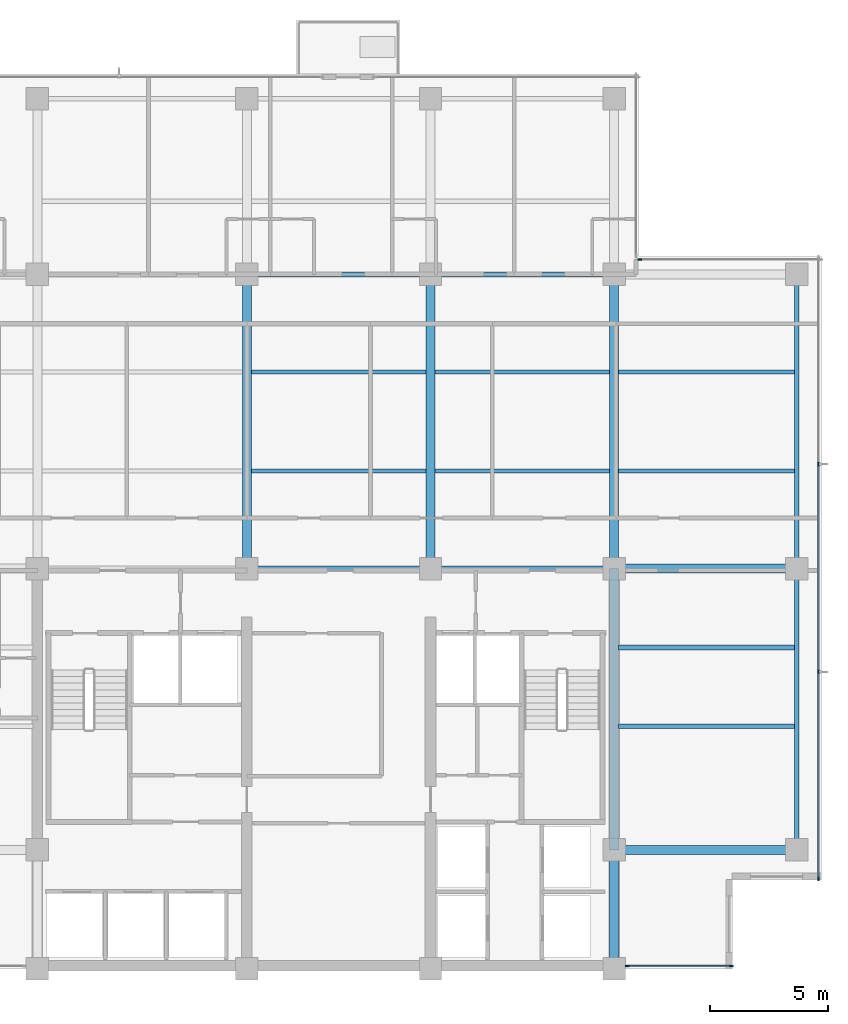
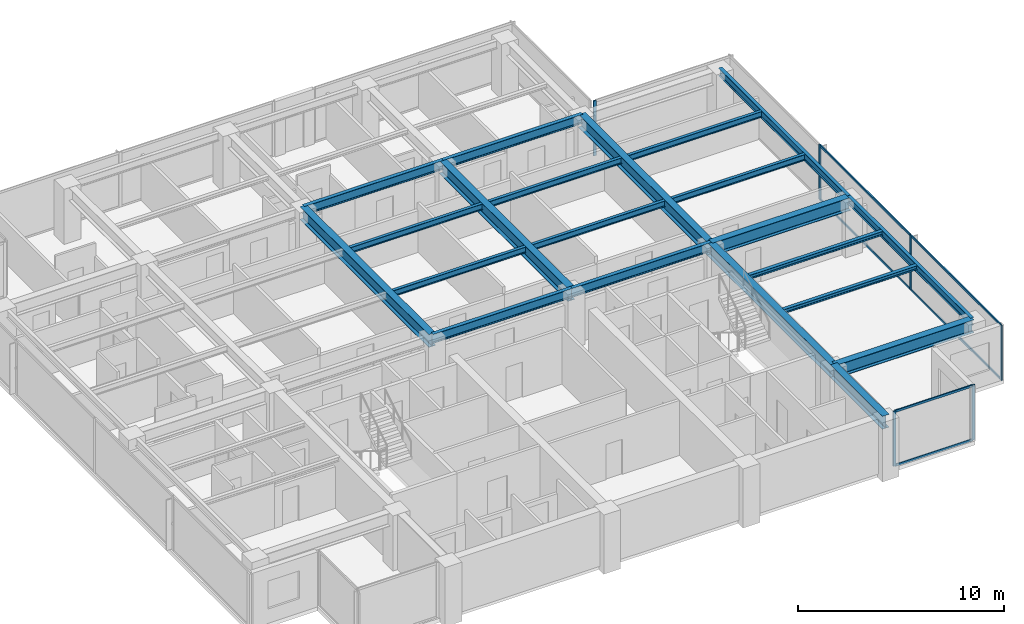
# One storey, part 3 of 15: 21 beams, 12 members, 3 elements without a shape of their own.
"""IFC4 building model written with IfcOpenShell, lengths in metres."""

import ifcopenshell
import ifcopenshell.guid

model = None  # the IFC model being written
_history = None  # IfcOwnerHistory: only IFC2X3 demands one
_inside = {}  # id of a spatial element -> (the spatial element, [elements in it])
_under = {}  # id of a project, library or spatial element -> (it, [spatial elements below it])
_declared = {}  # id of a project -> (the project, [libraries it declares])
_typed = {}  # id of a type object -> (the type object, [elements of that type])
_made_of = {}  # id of a material, layer set ... -> (it, [elements and type objects made of it])


def new_model(schema):
    """Start an empty IFC model of exactly this schema.

    Asked for "IFC4X3", IfcOpenShell would pick the latest addendum, in which some entities
    have other attributes; the version numbers below select the first issue.
    IFC2X3 requires an IfcOwnerHistory on every rooted entity: one is made here for all.
    """
    global model, _history
    if schema == "IFC4X3":
        model = ifcopenshell.file(schema_version=(4, 3, 0, 0))
    else:
        model = ifcopenshell.file(schema=schema)
    _inside.clear()
    _under.clear()
    _declared.clear()
    _typed.clear()
    _made_of.clear()
    _history = None
    if model.schema == "IFC2X3":
        org = make("IfcOrganization", Name="unknown")
        user = make(
            "IfcPersonAndOrganization",
            ThePerson=make("IfcPerson", FamilyName="unknown"),
            TheOrganization=org,
        )
        app = make(
            "IfcApplication",
            ApplicationDeveloper=org,
            Version="unknown",
            ApplicationFullName="unknown",
            ApplicationIdentifier="unknown",
        )
        _history = make(
            "IfcOwnerHistory",
            OwningUser=user,
            OwningApplication=app,
            ChangeAction="ADDED",
            CreationDate=0,
        )
    return model


def make(cls, **values):
    """One entity of the class cls with the attributes given. An attribute that is None is left unset."""
    return model.create_entity(
        cls, **{name: value for name, value in values.items() if value is not None}
    )


def rooted(cls, **values):
    """An entity with a GlobalId (a new one), such as an element, a storey or a relation."""
    return make(cls, GlobalId=ifcopenshell.guid.new(), OwnerHistory=_history, **values)


def si_unit(unit_type, name, prefix=None):
    """IfcSIUnit, for example si_unit("LENGTHUNIT", "METRE", prefix="MILLI")."""
    return make("IfcSIUnit", UnitType=unit_type, Prefix=prefix, Name=name)


def assignment(units):
    """IfcUnitAssignment: the units of a project."""
    return None if units is None else make("IfcUnitAssignment", Units=units)


def point(xyz):
    """IfcCartesianPoint."""
    return None if xyz is None else make("IfcCartesianPoint", Coordinates=xyz)


def direction(xyz):
    """IfcDirection."""
    return None if xyz is None else make("IfcDirection", DirectionRatios=xyz)


def frame(location, z_axis=None, x_axis=None):
    """IfcAxis2Placement3D, a coordinate frame: its origin and axes. An axis left out is left unset."""
    return make(
        "IfcAxis2Placement3D",
        Location=point(location),
        Axis=direction(z_axis),
        RefDirection=direction(x_axis),
    )


def frame_2d(location, x_axis=None):
    """IfcAxis2Placement2D, a coordinate frame in the plane: its origin and x axis."""
    return make(
        "IfcAxis2Placement2D", Location=point(location), RefDirection=direction(x_axis)
    )


def origin():
    """The frame at (0, 0, 0) with its axes left unset."""
    return frame((0.0, 0.0, 0.0))


def origin_2d():
    """The frame at (0, 0) in the plane with its x axis left unset."""
    return frame_2d((0.0, 0.0))


def place(relative_to, where):
    """IfcLocalPlacement: puts the frame where relative to a parent placement (None: the world)."""
    return make(
        "IfcLocalPlacement", PlacementRelTo=relative_to, RelativePlacement=where
    )


def context(
    kind, dimensions, precision=None, world=None, true_north=None, identifier=None
):
    """IfcGeometricRepresentationContext, for example the 3D "Model" context."""
    return make(
        "IfcGeometricRepresentationContext",
        ContextIdentifier=identifier,
        ContextType=kind,
        CoordinateSpaceDimension=dimensions,
        Precision=precision,
        WorldCoordinateSystem=world,
        TrueNorth=true_north,
    )


def subcontext(parent, identifier, kind, view, scale=None):
    """IfcGeometricRepresentationSubContext, for example "Body" below "Model"."""
    return make(
        "IfcGeometricRepresentationSubContext",
        ContextIdentifier=identifier,
        ContextType=kind,
        ParentContext=parent,
        TargetScale=scale,
        TargetView=view,
    )


def project(units=None, contexts=None):
    """IfcProject with its units and contexts."""
    return rooted(
        "IfcProject",
        Name="project",
        RepresentationContexts=contexts,
        UnitsInContext=assignment(units),
    )


def spatial(cls, under=None, at=None, **own):
    """A site, building, storey or space (cls), placed at a placement, below another one or the project."""
    s = rooted(cls, ObjectPlacement=at, **own)
    if under is not None:
        _under.setdefault(under.id(), (under, []))[1].append(s)
    return s


def profile(cls, at=None, kind="AREA", **sizes):
    """A parametric profile (cls). Its sizes go by their IFC names, for example OverallWidth=200.0."""
    return make(cls, ProfileType=kind, Position=at, **sizes)


def rectangle(**sizes):
    """IfcRectangleProfileDef."""
    return profile("IfcRectangleProfileDef", **sizes)


def i_section(**sizes):
    """IfcIShapeProfileDef."""
    return profile("IfcIShapeProfileDef", **sizes)


def extrude(swept, where, along, depth):
    """IfcExtrudedAreaSolid: the profile swept, set in the frame where, extruded along a direction by depth."""
    return make(
        "IfcExtrudedAreaSolid",
        SweptArea=swept,
        Position=where,
        ExtrudedDirection=direction(along),
        Depth=depth,
    )


def shape(context_of_items, identifier, shape_type, items):
    """IfcShapeRepresentation: the items that make up one representation, for example the "Body"."""
    return make(
        "IfcShapeRepresentation",
        ContextOfItems=context_of_items,
        RepresentationIdentifier=identifier,
        RepresentationType=shape_type,
        Items=items,
    )


def material(Name=None, Category=None):
    """IfcMaterial."""
    return make("IfcMaterial", Name=Name, Category=Category)


def layer(
    of_material, thickness, ventilated=None, Name=None, Category=None, Priority=None
):
    """IfcMaterialLayer: one layer of a wall or slab, of a material (None: an air gap)."""
    return make(
        "IfcMaterialLayer",
        Material=of_material,
        LayerThickness=thickness,
        IsVentilated=ventilated,
        Name=Name,
        Category=Category,
        Priority=Priority,
    )


def layer_set(layers, Name=None):
    """IfcMaterialLayerSet."""
    return make("IfcMaterialLayerSet", MaterialLayers=layers, LayerSetName=Name)


def material_profile(
    of_material, cross_section, Name=None, Category=None, Priority=None
):
    """IfcMaterialProfile: a cross section and its material."""
    return make(
        "IfcMaterialProfile",
        Name=Name,
        Material=of_material,
        Profile=cross_section,
        Priority=Priority,
        Category=Category,
    )


def profile_set(profiles, Name=None, composite=None):
    """IfcMaterialProfileSet."""
    return make(
        "IfcMaterialProfileSet",
        Name=Name,
        MaterialProfiles=profiles,
        CompositeProfile=composite,
    )


def made_of(thing, what):
    """Note that an element or type object is made of a material, layer set ...; save() writes the relation."""
    if what is not None:
        _made_of.setdefault(what.id(), (what, []))[1].append(thing)
    return thing


def type_object(cls, material=None, **own):
    """A type object (cls), such as IfcWallType, which elements share."""
    return made_of(rooted(cls, **own), material)


def element(
    cls,
    number,
    at=None,
    inside=None,
    cuts=None,
    type_object=None,
    material=None,
    context=None,
    identifier="Body",
    shape_type=None,
    held_by="IfcProductDefinitionShape",
    body=None,
    shapes=None,
    **own,
):
    """One element of the class cls, such as IfcWall. Its Tag is "e" and its number.

    at: its placement. inside: the storey or other place that contains it. cuts: it is an
    opening in that element (IfcRelVoidsElement). A single representation is given by context,
    identifier, shape_type and body (its items); several are given by shapes. held_by: the class
    of the entity that holds the representations. save() writes the other relations.
    """
    e = rooted(cls, Tag="e%d" % number, ObjectPlacement=at, **own)
    if body is not None:
        shapes = [shape(context, identifier, shape_type, body)]
    if shapes is not None:
        e.Representation = make(held_by, Representations=shapes)
    if inside is not None:
        _inside.setdefault(inside.id(), (inside, []))[1].append(e)
    if cuts is not None:
        rooted(
            "IfcRelVoidsElement", RelatingBuildingElement=cuts, RelatedOpeningElement=e
        )
    if type_object is not None:
        _typed.setdefault(type_object.id(), (type_object, []))[1].append(e)
    return made_of(e, material)


def aggregate(whole, parts):
    """IfcRelAggregates: a whole, such as a stair, and the parts it consists of."""
    return rooted("IfcRelAggregates", RelatingObject=whole, RelatedObjects=parts)


def save(model, path):
    """Write the relations noted so far, then the file.

    IfcRelAggregates (storeys below a building ...), IfcRelContainedInSpatialStructure (elements
    in a storey), IfcRelDefinesByType, IfcRelAssociatesMaterial and IfcRelDeclares: one each for
    every whole, place, type object, material and project.
    """
    for whole, parts in _under.values():
        aggregate(whole, parts)
    for where, things in _inside.values():
        rooted(
            "IfcRelContainedInSpatialStructure",
            RelatedElements=things,
            RelatingStructure=where,
        )
    for kind, things in _typed.values():
        rooted("IfcRelDefinesByType", RelatedObjects=things, RelatingType=kind)
    for what, things in _made_of.values():
        rooted("IfcRelAssociatesMaterial", RelatedObjects=things, RelatingMaterial=what)
    for by, libraries in _declared.values():
        rooted("IfcRelDeclares", RelatingContext=by, RelatedDefinitions=libraries)
    model.write(path)


model = new_model("IFC4")

# Units and contexts
model_context = context("Model", 3, precision=1e-05, world=origin(), true_north=direction((0.0, 1.0)))
body_context = subcontext(model_context, "Body", "Model", "MODEL_VIEW")
ifc_project = project(units=[si_unit("LENGTHUNIT", "METRE"), si_unit("AREAUNIT", "SQUARE_METRE"), si_unit("VOLUMEUNIT", "CUBIC_METRE"), si_unit("PLANEANGLEUNIT", "RADIAN"), si_unit("MASSUNIT", "GRAM", prefix="KILO")], contexts=[model_context])

# Site, building, storey
site_placement = place(None, origin())
site = spatial("IfcSite", under=ifc_project, at=site_placement, CompositionType="ELEMENT")
building_placement = place(site_placement, origin())
building = spatial("IfcBuilding", under=site, at=building_placement, Name="Qalmaran Belvedere Hotel", CompositionType="ELEMENT")
storey_placement = place(building_placement, frame((0.0, 0.0, 203.89990234375)))
storey = spatial("IfcBuildingStorey", under=building, at=storey_placement, Name="L51", CompositionType="ELEMENT", Elevation=203.89990234375)

# Beams
ifc_material_1 = material(Name="Steel S355JR", Category="steel")
ifc_material_profile_1 = material_profile(ifc_material_1, i_section(OverallWidth=0.201904296875, OverallDepth=0.2470703125, WebThickness=0.00732421875, FlangeThickness=0.010986328125, FilletRadius=0.011962890625, at=origin_2d()), Name="W250X49")
ifc_profile_set_1 = profile_set([ifc_material_profile_1], Name="Steel S355JR")
beam_type_1 = type_object("IfcBeamType", Name="BM-JST-W250X49", PredefinedType="JOIST", material=ifc_profile_set_1)
for number, where, z_axis, x_axis, name in (
    (1, (44.988525390625, 13.800048828125, 3.13671875), (1.0, 0.0, 0.0), (0.0, 1.0, 0.0), "L51 East Wing Joist 039"),
    (2, (44.988525390625, 17.14990234375, 3.13671875), (1.0, 0.0, 0.0), (0.0, 1.0, 0.0), "L51 East Wing Joist 041"),
):
    element("IfcBeam", number, at=place(storey_placement, frame(where, z_axis=z_axis, x_axis=x_axis)), inside=storey, type_object=beam_type_1, Name=name, PredefinedType="JOIST", context=body_context, shape_type="SweptSolid", body=[
        extrude(i_section(OverallWidth=0.201904296875, OverallDepth=0.2470703125, WebThickness=0.00732421875, FlangeThickness=0.010986328125, FilletRadius=0.011962890625, at=origin_2d()), origin(), (0.0, 0.0, 1.0), 7.467529296875),
    ])
ifc_material_profile_2 = material_profile(ifc_material_1, i_section(OverallWidth=0.381103515625, OverallDepth=0.77294921875, WebThickness=0.0166015625, FlangeThickness=0.027099609375, FilletRadius=0.02197265625, at=origin_2d()), Name="W760X257")
ifc_profile_set_2 = profile_set([ifc_material_profile_2], Name="Steel S355JR")
beam_type_2 = type_object("IfcBeamType", Name="BM-PG4-W760X257", PredefinedType="USERDEFINED", material=ifc_profile_set_2)
for number, where, z_axis, x_axis, name in (
    (3, (29.199951171875, 20.5, 2.87353515625), (0.0, 1.0, 0.0), (-1.0, 0.0, 0.0), "L51 Mid-Plate N-S Girder 16"),
    (4, (37.0, 20.5, 2.87353515625), (0.0, 1.0, 0.0), (-1.0, 0.0, 0.0), "L51 Mid-Plate N-S Girder 18"),
    (5, (44.800048828125, 20.5, 2.87353515625), (0.0, 1.0, 0.0), (-1.0, 0.0, 0.0), "L51 Mid-Plate N-S Girder 20"),
):
    element("IfcBeam", number, at=place(storey_placement, frame(where, z_axis=z_axis, x_axis=x_axis)), inside=storey, type_object=beam_type_2, Name=name, ObjectType="GIRDER", PredefinedType="USERDEFINED", context=body_context, shape_type="SweptSolid", body=[
        extrude(i_section(OverallWidth=0.381103515625, OverallDepth=0.77294921875, WebThickness=0.0166015625, FlangeThickness=0.027099609375, FilletRadius=0.02197265625, at=origin_2d()), origin(), (0.0, 0.0, 1.0), 12.5),
    ])
beam_1_placement = place(storey_placement, frame((44.800048828125, 3.5, 2.87353515625), z_axis=(0.0, 1.0, 0.0), x_axis=(-1.0, 0.0, 0.0)))
element("IfcBeam", 6, at=beam_1_placement, inside=storey, type_object=beam_type_2, Name="L51 East Core Edge Girder A", ObjectType="GIRDER", PredefinedType="USERDEFINED", context=body_context, shape_type="SweptSolid", body=[
    extrude(i_section(OverallWidth=0.381103515625, OverallDepth=0.77294921875, WebThickness=0.0166015625, FlangeThickness=0.027099609375, FilletRadius=0.02197265625, at=origin_2d()), origin(), (0.0, 0.0, 1.0), 5.050048828125),
])
beam_2_placement = place(storey_placement, frame((44.800048828125, 8.550048828125, 2.87353515625), z_axis=(0.0, 1.0, 0.0), x_axis=(-1.0, 0.0, 0.0)))
element("IfcBeam", 7, at=beam_2_placement, inside=storey, type_object=beam_type_2, Name="L51 East Core Edge Girder B", ObjectType="GIRDER", PredefinedType="USERDEFINED", context=body_context, shape_type="SweptSolid", body=[
    extrude(i_section(OverallWidth=0.381103515625, OverallDepth=0.77294921875, WebThickness=0.0166015625, FlangeThickness=0.027099609375, FilletRadius=0.02197265625, at=origin_2d()), origin(), (0.0, 0.0, 1.0), 11.949951171875),
])
for number, where, z_axis, x_axis, name in (
    (8, (44.800048828125, 8.550048828125, 2.87353515625), (1.0, 0.0, 0.0), (0.0, 1.0, 0.0), "L51 East Wing Girder 25"),
    (9, (44.800048828125, 20.5, 2.87353515625), (1.0, 0.0, 0.0), (0.0, 1.0, 0.0), "L51 East Wing Girder 26"),
):
    element("IfcBeam", number, at=place(storey_placement, frame(where, z_axis=z_axis, x_axis=x_axis)), inside=storey, type_object=beam_type_2, Name=name, ObjectType="GIRDER", PredefinedType="USERDEFINED", context=body_context, shape_type="SweptSolid", body=[
        extrude(i_section(OverallWidth=0.381103515625, OverallDepth=0.77294921875, WebThickness=0.0166015625, FlangeThickness=0.027099609375, FilletRadius=0.02197265625, at=origin_2d()), origin(), (0.0, 0.0, 1.0), 7.75),
    ])
ifc_material_profile_3 = material_profile(ifc_material_1, i_section(OverallWidth=0.172119140625, OverallDepth=0.35791015625, WebThickness=0.0078125, FlangeThickness=0.01318359375, FilletRadius=0.014892578125, at=origin_2d()), Name="W360X57")
ifc_profile_set_3 = profile_set([ifc_material_profile_3], Name="Steel S355JR")
beam_type_3 = type_object("IfcBeamType", Name="BM-SB4-W360X57", PredefinedType="BEAM", material=ifc_profile_set_3)
for number, where, z_axis, x_axis, name in (
    (10, (29.388427734375, 24.64990234375, 3.0810546875), (1.0, 0.0, 0.0), (0.0, 1.0, 0.0), "L51 Secondary Floor Beam 030"),
    (11, (37.1884765625, 24.64990234375, 3.0810546875), (1.0, 0.0, 0.0), (0.0, 1.0, 0.0), "L51 Secondary Floor Beam 031"),
):
    element("IfcBeam", number, at=place(storey_placement, frame(where, z_axis=z_axis, x_axis=x_axis)), inside=storey, type_object=beam_type_3, Name=name, PredefinedType="BEAM", context=body_context, shape_type="SweptSolid", body=[
        extrude(i_section(OverallWidth=0.172119140625, OverallDepth=0.35791015625, WebThickness=0.0078125, FlangeThickness=0.01318359375, FilletRadius=0.014892578125, at=origin_2d()), origin(), (0.0, 0.0, 1.0), 7.423095703125),
    ])
beam_3_placement = place(storey_placement, frame((44.988525390625, 24.64990234375, 3.0810546875), z_axis=(1.0, 0.0, 0.0), x_axis=(0.0, 1.0, 0.0)))
element("IfcBeam", 12, at=beam_3_placement, inside=storey, type_object=beam_type_3, Name="L51 East Secondary Beam 032", PredefinedType="BEAM", context=body_context, shape_type="SweptSolid", body=[
    extrude(i_section(OverallWidth=0.172119140625, OverallDepth=0.35791015625, WebThickness=0.0078125, FlangeThickness=0.01318359375, FilletRadius=0.014892578125, at=origin_2d()), origin(), (0.0, 0.0, 1.0), 7.467529296875),
])
for number, where, z_axis, x_axis, name in (
    (13, (29.388427734375, 28.85009765625, 3.0810546875), (1.0, 0.0, 0.0), (0.0, 1.0, 0.0), "L51 Secondary Floor Beam 035"),
    (14, (37.1884765625, 28.85009765625, 3.0810546875), (1.0, 0.0, 0.0), (0.0, 1.0, 0.0), "L51 Secondary Floor Beam 036"),
):
    element("IfcBeam", number, at=place(storey_placement, frame(where, z_axis=z_axis, x_axis=x_axis)), inside=storey, type_object=beam_type_3, Name=name, PredefinedType="BEAM", context=body_context, shape_type="SweptSolid", body=[
        extrude(i_section(OverallWidth=0.172119140625, OverallDepth=0.35791015625, WebThickness=0.0078125, FlangeThickness=0.01318359375, FilletRadius=0.014892578125, at=origin_2d()), origin(), (0.0, 0.0, 1.0), 7.423095703125),
    ])
beam_4_placement = place(storey_placement, frame((44.988525390625, 28.85009765625, 3.0810546875), z_axis=(1.0, 0.0, 0.0), x_axis=(0.0, 1.0, 0.0)))
element("IfcBeam", 15, at=beam_4_placement, inside=storey, type_object=beam_type_3, Name="L51 East Secondary Beam 037", PredefinedType="BEAM", context=body_context, shape_type="SweptSolid", body=[
    extrude(i_section(OverallWidth=0.172119140625, OverallDepth=0.35791015625, WebThickness=0.0078125, FlangeThickness=0.01318359375, FilletRadius=0.014892578125, at=origin_2d()), origin(), (0.0, 0.0, 1.0), 7.467529296875),
])
ifc_material_profile_4 = material_profile(ifc_material_1, i_section(OverallWidth=0.19189453125, OverallDepth=0.462890625, WebThickness=0.010498046875, FlangeThickness=0.017578125, FilletRadius=0.01611328125, at=origin_2d()), Name="W460X89")
ifc_profile_set_4 = profile_set([ifc_material_profile_4], Name="Steel S355JR")
beam_type_4 = type_object("IfcBeamType", Name="BM-SP2-W460X89", PredefinedType="SPANDREL", material=ifc_profile_set_4)
beam_5_placement = place(storey_placement, frame((52.550048828125, 8.550048828125, 3.028564453125), z_axis=(0.0, 1.0, 0.0), x_axis=(-1.0, 0.0, 0.0)))
element("IfcBeam", 16, at=beam_5_placement, inside=storey, type_object=beam_type_4, Name="L51 Perimeter Spandrel 03", PredefinedType="SPANDREL", context=body_context, shape_type="SweptSolid", body=[
    extrude(i_section(OverallWidth=0.19189453125, OverallDepth=0.462890625, WebThickness=0.010498046875, FlangeThickness=0.017578125, FilletRadius=0.01611328125, at=origin_2d()), origin(), (0.0, 0.0, 1.0), 11.949951171875),
])
beam_6_placement = place(storey_placement, frame((52.550048828125, 20.5, 3.028564453125), z_axis=(0.0, 1.0, 0.0), x_axis=(-1.0, 0.0, 0.0)))
element("IfcBeam", 17, at=beam_6_placement, inside=storey, type_object=beam_type_4, Name="L51 Perimeter Spandrel 04", PredefinedType="SPANDREL", context=body_context, shape_type="SweptSolid", body=[
    extrude(i_section(OverallWidth=0.19189453125, OverallDepth=0.462890625, WebThickness=0.010498046875, FlangeThickness=0.017578125, FilletRadius=0.01611328125, at=origin_2d()), origin(), (0.0, 0.0, 1.0), 12.5),
])
ifc_material_profile_5 = material_profile(ifc_material_1, i_section(OverallWidth=0.2109375, OverallDepth=0.5390625, WebThickness=0.01171875, FlangeThickness=0.018798828125, FilletRadius=0.01806640625, at=origin_2d()), Name="W530X109")
ifc_profile_set_5 = profile_set([ifc_material_profile_5], Name="Steel S355JR")
beam_type_5 = type_object("IfcBeamType", Name="BM-Z4-W530X109", PredefinedType="USERDEFINED", material=ifc_profile_set_5)
for number, where, z_axis, x_axis, name in (
    (18, (29.199951171875, 20.5, 2.990478515625), (1.0, 0.0, 0.0), (0.0, 1.0, 0.0), "L51 Interior E-W Girder 09"),
    (19, (37.0, 20.5, 2.990478515625), (1.0, 0.0, 0.0), (0.0, 1.0, 0.0), "L51 Interior E-W Girder 10"),
    (20, (29.199951171875, 33.0, 2.990478515625), (1.0, 0.0, 0.0), (0.0, 1.0, 0.0), "L51 Interior E-W Girder 12"),
    (21, (37.0, 33.0, 2.990478515625), (1.0, 0.0, 0.0), (0.0, 1.0, 0.0), "L51 Interior E-W Girder 13"),
):
    element("IfcBeam", number, at=place(storey_placement, frame(where, z_axis=z_axis, x_axis=x_axis)), inside=storey, type_object=beam_type_5, Name=name, ObjectType="GIRDER", PredefinedType="USERDEFINED", context=body_context, shape_type="SweptSolid", body=[
        extrude(i_section(OverallWidth=0.2109375, OverallDepth=0.5390625, WebThickness=0.01171875, FlangeThickness=0.018798828125, FilletRadius=0.01806640625, at=origin_2d()), origin(), (0.0, 0.0, 1.0), 7.800048828125),
    ])

# Curtain wall, members
ifc_material_2 = material(Name="Anodised Bronze Aluminium", Category="aluminium")
ifc_layer = layer(ifc_material_2, 0.18994140625, Name="Anodised Bronze Aluminium")
ifc_layer_set = layer_set([ifc_layer], Name="Anodised Bronze Aluminium")
curtain_wall_type = type_object("IfcCurtainWallType", Name="CW5-TOWER-UPPER", PredefinedType="NOTDEFINED", material=ifc_layer_set)
curtain_wall_1_placement = place(storey_placement, origin())
curtain_wall_1 = element("IfcCurtainWall", 22, at=curtain_wall_1_placement, inside=storey, type_object=curtain_wall_type, Name="L51 Curtain Wall CW5", PredefinedType="NOTDEFINED")
ifc_material_profile_6 = material_profile(ifc_material_2, rectangle(XDim=0.06494140625, YDim=0.1650390625, at=origin_2d()), Name="CWM65X165")
ifc_profile_set_6 = profile_set([ifc_material_profile_6], Name="Anodised Bronze Aluminium")
member_type_1 = type_object("IfcMemberType", Name="CWM-65X165", PredefinedType="MULLION", material=ifc_profile_set_6)
member_1_placement = place(storey_placement, frame((45.347412109375, 3.6201171875, 0.0), z_axis=(0.0, 0.0, 1.0), x_axis=(0.0, 1.0, 0.0)))
member_1 = element("IfcMember", 23, at=member_1_placement, type_object=member_type_1, Name="CW5 mullion 1", PredefinedType="MULLION", context=body_context, shape_type="SweptSolid", body=[
    extrude(rectangle(XDim=0.06494140625, YDim=0.1650390625, at=origin_2d()), origin(), (0.0, 0.0, 1.0), 3.260009765625),
])
member_2_placement = place(storey_placement, frame((49.767578125, 3.6201171875, 0.0), z_axis=(0.0, 0.0, 1.0), x_axis=(0.0, 1.0, 0.0)))
member_2 = element("IfcMember", 24, at=member_2_placement, type_object=member_type_1, Name="CW5 mullion 2", PredefinedType="MULLION", context=body_context, shape_type="SweptSolid", body=[
    extrude(rectangle(XDim=0.06494140625, YDim=0.1650390625, at=origin_2d()), origin(), (0.0, 0.0, 1.0), 3.260009765625),
])

curtain_wall_2_placement = place(storey_placement, origin())
curtain_wall_2 = element("IfcCurtainWall", 25, at=curtain_wall_2_placement, inside=storey, type_object=curtain_wall_type, Name="L51 Curtain Wall CW5", PredefinedType="NOTDEFINED")
member_3_placement = place(storey_placement, frame((53.47998046875, 7.33251953125, 0.0), z_axis=(0.0, 0.0, 1.0), x_axis=(-1.0, 0.0, 0.0)))
member_3 = element("IfcMember", 26, at=member_3_placement, type_object=member_type_1, Name="CW5 mullion 1", PredefinedType="MULLION", context=body_context, shape_type="SweptSolid", body=[
    extrude(rectangle(XDim=0.06494140625, YDim=0.1650390625, at=origin_2d()), origin(), (0.0, 0.0, 1.0), 3.260009765625),
])
member_4_placement = place(storey_placement, frame((53.47998046875, 16.11669921875, 0.0), z_axis=(0.0, 0.0, 1.0), x_axis=(-1.0, 0.0, 0.0)))
member_4 = element("IfcMember", 27, at=member_4_placement, type_object=member_type_1, Name="CW5 mullion 2", PredefinedType="MULLION", context=body_context, shape_type="SweptSolid", body=[
    extrude(rectangle(XDim=0.06494140625, YDim=0.1650390625, at=origin_2d()), origin(), (0.0, 0.0, 1.0), 3.260009765625),
])
member_5_placement = place(storey_placement, frame((53.47998046875, 24.933349609375, 0.0), z_axis=(0.0, 0.0, 1.0), x_axis=(-1.0, 0.0, 0.0)))
member_5 = element("IfcMember", 28, at=member_5_placement, type_object=member_type_1, Name="CW5 mullion 3", PredefinedType="MULLION", context=body_context, shape_type="SweptSolid", body=[
    extrude(rectangle(XDim=0.06494140625, YDim=0.1650390625, at=origin_2d()), origin(), (0.0, 0.0, 1.0), 3.260009765625),
])

# Curtain wall, member
curtain_wall_3_placement = place(storey_placement, origin())
curtain_wall_3 = element("IfcCurtainWall", 29, at=curtain_wall_3_placement, inside=storey, type_object=curtain_wall_type, Name="L51 Curtain Wall CW5", PredefinedType="NOTDEFINED")
member_6_placement = place(storey_placement, frame((45.882568359375, 33.6298828125, 0.0), z_axis=(0.0, 0.0, 1.0), x_axis=(0.0, -1.0, 0.0)))
member_6 = element("IfcMember", 30, at=member_6_placement, type_object=member_type_1, Name="CW5 mullion 2", PredefinedType="MULLION", context=body_context, shape_type="SweptSolid", body=[
    extrude(rectangle(XDim=0.06494140625, YDim=0.1650390625, at=origin_2d()), origin(), (0.0, 0.0, 1.0), 3.260009765625),
])
aggregate(curtain_wall_3, [member_6])

# Member
ifc_material_profile_7 = material_profile(ifc_material_2, rectangle(XDim=0.06494140625, YDim=0.1298828125, at=origin_2d()), Name="CWT65X130")
ifc_profile_set_7 = profile_set([ifc_material_profile_7], Name="Anodised Bronze Aluminium")
member_type_2 = type_object("IfcMemberType", Name="CWT-65X130", PredefinedType="USERDEFINED", material=ifc_profile_set_7)
member_7_placement = place(storey_placement, frame((45.3798828125, 3.6201171875, 0.03271484375), z_axis=(1.0, 0.0, 0.0), x_axis=(0.0, 1.0, 0.0)))
member_7 = element("IfcMember", 31, at=member_7_placement, type_object=member_type_2, Name="CW5 transom 1.1", ObjectType="TRANSOM", PredefinedType="USERDEFINED", context=body_context, shape_type="SweptSolid", body=[
    extrude(rectangle(XDim=0.06494140625, YDim=0.1298828125, at=origin_2d()), origin(), (0.0, 0.0, 1.0), 4.355224609375),
])

member_8_placement = place(storey_placement, frame((45.3798828125, 3.6201171875, 3.2275390625), z_axis=(1.0, 0.0, 0.0), x_axis=(0.0, 1.0, 0.0)))
member_8 = element("IfcMember", 32, at=member_8_placement, type_object=member_type_2, Name="CW5 transom 1.2", ObjectType="TRANSOM", PredefinedType="USERDEFINED", context=body_context, shape_type="SweptSolid", body=[
    extrude(rectangle(XDim=0.06494140625, YDim=0.1298828125, at=origin_2d()), origin(), (0.0, 0.0, 1.0), 4.355224609375),
])

aggregate(curtain_wall_1, [member_1, member_2, member_7, member_8])

member_9_placement = place(storey_placement, frame((53.47998046875, 7.364990234375, 0.03271484375), z_axis=(0.0, 1.0, 0.0), x_axis=(-1.0, 0.0, 0.0)))
member_9 = element("IfcMember", 33, at=member_9_placement, type_object=member_type_2, Name="CW5 transom 1.1", ObjectType="TRANSOM", PredefinedType="USERDEFINED", context=body_context, shape_type="SweptSolid", body=[
    extrude(rectangle(XDim=0.06494140625, YDim=0.1298828125, at=origin_2d()), origin(), (0.0, 0.0, 1.0), 8.71923828125),
])

member_10_placement = place(storey_placement, frame((53.47998046875, 7.364990234375, 3.2275390625), z_axis=(0.0, 1.0, 0.0), x_axis=(-1.0, 0.0, 0.0)))
member_10 = element("IfcMember", 34, at=member_10_placement, type_object=member_type_2, Name="CW5 transom 1.2", ObjectType="TRANSOM", PredefinedType="USERDEFINED", context=body_context, shape_type="SweptSolid", body=[
    extrude(rectangle(XDim=0.06494140625, YDim=0.1298828125, at=origin_2d()), origin(), (0.0, 0.0, 1.0), 8.71923828125),
])

member_11_placement = place(storey_placement, frame((53.47998046875, 16.149169921875, 0.03271484375), z_axis=(0.0, 1.0, 0.0), x_axis=(-1.0, 0.0, 0.0)))
member_11 = element("IfcMember", 35, at=member_11_placement, type_object=member_type_2, Name="CW5 transom 2.1", ObjectType="TRANSOM", PredefinedType="USERDEFINED", context=body_context, shape_type="SweptSolid", body=[
    extrude(rectangle(XDim=0.06494140625, YDim=0.1298828125, at=origin_2d()), origin(), (0.0, 0.0, 1.0), 8.751708984375),
])

member_12_placement = place(storey_placement, frame((53.47998046875, 16.149169921875, 3.2275390625), z_axis=(0.0, 1.0, 0.0), x_axis=(-1.0, 0.0, 0.0)))
member_12 = element("IfcMember", 36, at=member_12_placement, type_object=member_type_2, Name="CW5 transom 2.2", ObjectType="TRANSOM", PredefinedType="USERDEFINED", context=body_context, shape_type="SweptSolid", body=[
    extrude(rectangle(XDim=0.06494140625, YDim=0.1298828125, at=origin_2d()), origin(), (0.0, 0.0, 1.0), 8.751708984375),
])

aggregate(curtain_wall_2, [member_3, member_4, member_5, member_9, member_10, member_11, member_12])

save(model, "model.ifc")
